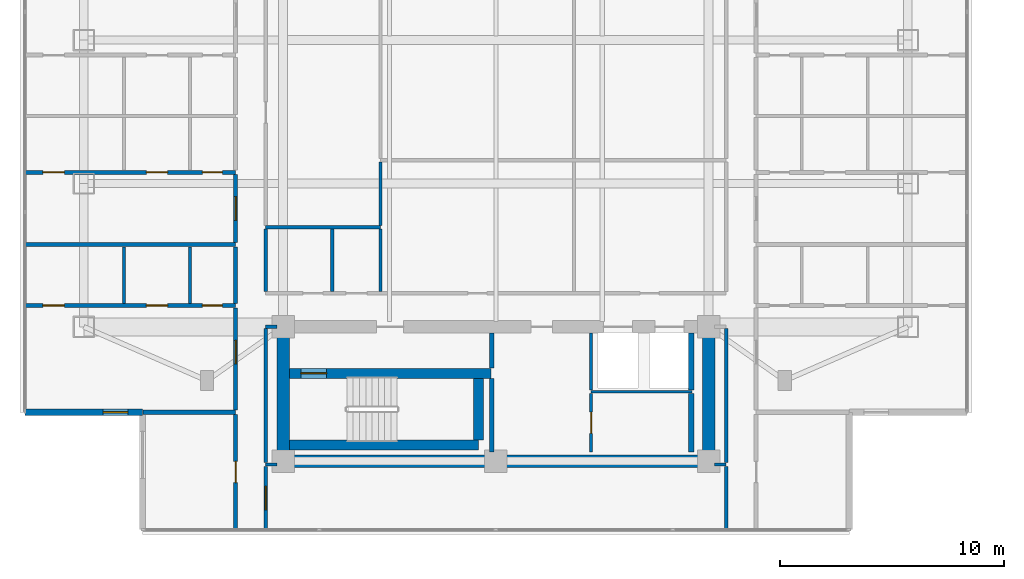
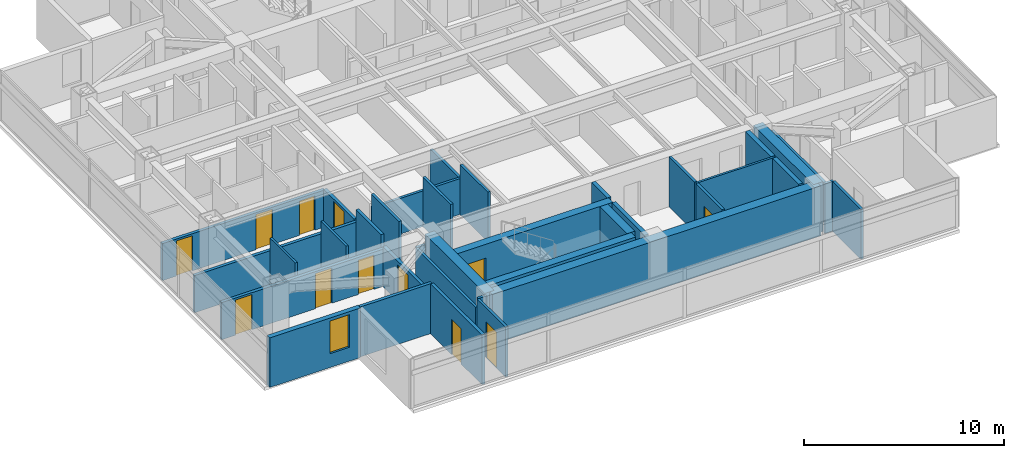
# One storey, part 13 of 26: 36 walls, 12 doors, 1 window, 13 openings.
"""IFC4 building model written with IfcOpenShell, lengths in metres."""

from ifc_helpers import new_model, si_unit, direction, frame, frame_2d, origin, place, context, subcontext, project, spatial, rectangle, extrude, material, layer, layer_set, type_object, element, fill, save


model = new_model("IFC4")

# Units and contexts
model_context = context("Model", 3, precision=1e-05, world=origin(), true_north=direction((0.0, 1.0)))
body_context = subcontext(model_context, "Body", "Model", "MODEL_VIEW")
ifc_project = project(units=[si_unit("LENGTHUNIT", "METRE"), si_unit("AREAUNIT", "SQUARE_METRE"), si_unit("VOLUMEUNIT", "CUBIC_METRE"), si_unit("PLANEANGLEUNIT", "RADIAN"), si_unit("MASSUNIT", "GRAM", prefix="KILO")], contexts=[model_context])

# Site, building, storey
site_placement = place(None, origin())
site = spatial("IfcSite", under=ifc_project, at=site_placement, CompositionType="ELEMENT")
building_placement = place(site_placement, origin())
building = spatial("IfcBuilding", under=site, at=building_placement, Name="Mirazonda Arch Towers", CompositionType="ELEMENT")
storey_placement = place(building_placement, frame((0.0, 0.0, 170.64990234375)))
storey = spatial("IfcBuildingStorey", under=building, at=storey_placement, Name="L48", CompositionType="ELEMENT", Elevation=170.64990234375)

# Wall
ifc_material_1 = material(Name="Concrete C50/60", Category="concrete")
ifc_layer_1 = layer(ifc_material_1, 0.449951171875, Name="WALL-CORE-450")
ifc_layer_set_1 = layer_set([ifc_layer_1], Name="Concrete C50/60")
wall_type_1 = type_object("IfcWallType", Name="WALL-CORE-450", PredefinedType="SHEAR", material=ifc_layer_set_1)
wall_1_placement = place(storey_placement, frame((11.27001953125, 13.1201171875, 0.0), z_axis=(0.0, 0.0, 1.0), x_axis=(1.0, 0.0, 0.0)))
element("IfcWall", 1, at=wall_1_placement, inside=storey, type_object=wall_type_1, Name="L48 Stair Core Shear Wall 003", PredefinedType="SHEAR", context=body_context, shape_type="SweptSolid", body=[
    extrude(rectangle(XDim=8.4599609375, YDim=0.449951171875, at=frame_2d((4.22998046875, 0.0))), origin(), (0.0, 0.0, 1.0), 3.050048828125),
])

# Wall, opening, door
wall_2_placement = place(storey_placement, frame((11.27001953125, 16.320068359375, 0.0), z_axis=(0.0, 0.0, 1.0), x_axis=(1.0, 0.0, 0.0)))
wall_2 = element("IfcWall", 2, at=wall_2_placement, inside=storey, type_object=wall_type_1, Name="L48 Stair Core Shear Wall 007", PredefinedType="SHEAR", context=body_context, shape_type="SweptSolid", body=[
    extrude(rectangle(XDim=9.010009765625, YDim=0.449951171875, at=frame_2d((4.5048828125, 0.0))), origin(), (0.0, 0.0, 1.0), 3.050048828125),
])
opening_1_placement = place(wall_2_placement, frame((0.52001953125, 0.0, 0.0)))
opening_1 = element("IfcOpeningElement", 3, at=opening_1_placement, cuts=wall_2, Name="Opening DR-135", PredefinedType="OPENING", context=body_context, shape_type="SweptSolid", body=[
    extrude(rectangle(XDim=1.14990234375, YDim=2.199951171875, at=frame_2d((0.574951171875, 1.10009765625))), frame((0.0, 0.23486328125, 0.0), z_axis=(0.0, -1.0, 0.0), x_axis=(1.0, 0.0, 0.0)), (0.0, 0.0, 1.0), 0.469970703125),
])
ifc_material_2 = material(Name="Architectural Brushed Steel S355", Category="steel")
door_type_1 = type_object("IfcDoorType", Name="DOOR-STAIR-FD90-1150", OperationType="NOTDEFINED", PredefinedType="DOOR", material=ifc_material_2)
door_1_placement = place(opening_1_placement, origin())
door_1 = element("IfcDoor", 4, at=door_1_placement, inside=storey, type_object=door_type_1, Name="L48 Protected Exit Stair South Door", OperationType="SINGLE_SWING_RIGHT", OverallHeight=2.199951171875, OverallWidth=1.14990234375, PredefinedType="DOOR", context=body_context, shape_type="SweptSolid", body=[
    extrude(rectangle(XDim=1.14990234375, YDim=2.199951171875, at=frame_2d((0.574951171875, 1.10009765625))), frame((0.0, 0.02490234375, 0.0), z_axis=(0.0, -1.0, 0.0), x_axis=(1.0, 0.0, 0.0)), (0.0, 0.0, 1.0), 0.050048828125),
])
fill(opening_1, door_1)

# Walls
wall_3_placement = place(storey_placement, frame((19.72998046875, 13.35498046875, 0.0), z_axis=(0.0, 0.0, 1.0), x_axis=(0.0, 1.0, 0.0)))
element("IfcWall", 5, at=wall_3_placement, inside=storey, type_object=wall_type_1, Name="L48 Stair Core Shear Wall 096", PredefinedType="SHEAR", context=body_context, shape_type="SweptSolid", body=[
    extrude(rectangle(XDim=2.72998046875, YDim=0.449951171875, at=frame_2d((1.364990234375, 0.0))), origin(), (0.0, 0.0, 1.0), 3.050048828125),
])
ifc_layer_2 = layer(ifc_material_1, 0.550048828125, Name="WALL-CORE-550")
ifc_layer_set_2 = layer_set([ifc_layer_2], Name="Concrete C50/60")
wall_type_2 = type_object("IfcWallType", Name="WALL-CORE-550", PredefinedType="SHEAR", material=ifc_layer_set_2)
wall_4_placement = place(storey_placement, frame((11.0, 12.39990234375, 0.0), z_axis=(0.0, 0.0, 1.0), x_axis=(1.0, 0.0, 0.0)))
element("IfcWall", 6, at=wall_4_placement, inside=storey, type_object=wall_type_2, Name="L48 T1S-S Core Shear Wall", PredefinedType="SHEAR", context=body_context, shape_type="SweptSolid", body=[
    extrude(rectangle(XDim=19.0, YDim=0.550048828125, at=frame_2d((9.5, 0.0))), origin(), (0.0, 0.0, 1.0), 3.050048828125),
])
for number, where, z_axis, x_axis, name in (
    (7, (11.0, 12.39990234375, 0.0), (0.0, 0.0, 1.0), (0.0, 1.0, 0.0), "L48 T1S-W Core Shear Wall"),
    (8, (30.0, 12.39990234375, 0.0), (0.0, 0.0, 1.0), (0.0, 1.0, 0.0), "L48 T1S-E Core Shear Wall"),
):
    element("IfcWall", number, at=place(storey_placement, frame(where, z_axis=z_axis, x_axis=x_axis)), inside=storey, type_object=wall_type_2, Name=name, PredefinedType="SHEAR", context=body_context, shape_type="SweptSolid", body=[
        extrude(rectangle(XDim=6.0, YDim=0.550048828125, at=frame_2d((3.0, 0.0))), origin(), (0.0, 0.0, 1.0), 3.050048828125),
    ])

# Wall, opening, window
ifc_material_3 = material(Name="Precast Concrete C40/50", Category="concrete")
ifc_layer_3 = layer(ifc_material_3, 0.280029296875, Name="WALL-EXT-WALL-280")
ifc_layer_set_3 = layer_set([ifc_layer_3], Name="Precast Concrete C40/50")
wall_type_3 = type_object("IfcWallType", Name="WALL-EXT-WALL-280", PredefinedType="SOLIDWALL", material=ifc_layer_set_3)
wall_5_placement = place(storey_placement, frame((-0.530029296875, 14.5849609375, 0.0), z_axis=(0.0, 0.0, 1.0), x_axis=(1.0, 0.0, 0.0)))
wall_5 = element("IfcWall", 9, at=wall_5_placement, inside=storey, type_object=wall_type_3, Name="L48 T1 Corner Notch Return Wall WL-L48-T1-CSW2", PredefinedType="SOLIDWALL", context=body_context, shape_type="SweptSolid", body=[
    extrude(rectangle(XDim=5.2451171875, YDim=0.280029296875, at=frame_2d((2.62255859375, 0.0))), origin(), (0.0, 0.0, 1.0), 3.030029296875),
])
opening_2_placement = place(wall_5_placement, frame((3.4951171875, 0.0, 0.85009765625)))
opening_2 = element("IfcOpeningElement", 10, at=opening_2_placement, cuts=wall_5, Name="Opening WN-108", PredefinedType="OPENING", context=body_context, shape_type="SweptSolid", body=[
    extrude(rectangle(XDim=1.10009765625, YDim=2.0, at=frame_2d((0.550048828125, 1.0))), frame((0.0, 0.14990234375, 0.0), z_axis=(0.0, -1.0, 0.0), x_axis=(1.0, 0.0, 0.0)), (0.0, 0.0, 1.0), 0.300048828125),
])
ifc_material_4 = material(Name="Insulated Low-E Solar Glass", Category="glass")
window_type = type_object("IfcWindowType", Name="WIN-NOTCH-1100x2000", PartitioningType="SINGLE_PANEL", PredefinedType="WINDOW", material=ifc_material_4)
window_placement = place(opening_2_placement, origin())
window = element("IfcWindow", 11, at=window_placement, inside=storey, type_object=window_type, Name="L48 Punched Facade Window WN-L48-T1-CSW2", OverallHeight=2.0, OverallWidth=1.10009765625, PartitioningType="SINGLE_PANEL", PredefinedType="WINDOW", context=body_context, shape_type="SweptSolid", body=[
    extrude(rectangle(XDim=1.10009765625, YDim=2.0, at=frame_2d((0.550048828125, 1.0))), frame((0.0, 0.030029296875, 0.0), z_axis=(0.0, -1.0, 0.0), x_axis=(1.0, 0.0, 0.0)), (0.0, 0.0, 1.0), 0.06005859375),
])
fill(opening_2, window)

# Walls
ifc_material_5 = material(Name="Concrete C40/50", Category="concrete")
ifc_layer_4 = layer(ifc_material_5, 0.219970703125, Name="WALL-FFL-220")
ifc_layer_set_4 = layer_set([ifc_layer_4], Name="Concrete C40/50")
wall_type_4 = type_object("IfcWallType", Name="WALL-FFL-220", PredefinedType="SOLIDWALL", material=ifc_layer_set_4)
wall_6_placement = place(storey_placement, frame((20.31494140625, 12.800048828125, 0.0), z_axis=(0.0, 0.0, 1.0), x_axis=(0.0, 1.0, 0.0)))
element("IfcWall", 12, at=wall_6_placement, inside=storey, type_object=wall_type_4, Name="L48 Interior Partition 098", PredefinedType="SOLIDWALL", context=body_context, shape_type="SweptSolid", body=[
    extrude(rectangle(XDim=3.284912109375, YDim=0.219970703125, at=frame_2d((1.642578125, 0.0))), origin(), (0.0, 0.0, 1.0), 3.050048828125),
])
wall_7_placement = place(storey_placement, frame((20.31494140625, 16.554931640625, 0.0), z_axis=(0.0, 0.0, 1.0), x_axis=(0.0, 1.0, 0.0)))
element("IfcWall", 13, at=wall_7_placement, inside=storey, type_object=wall_type_4, Name="L48 Interior Partition 099", PredefinedType="SOLIDWALL", context=body_context, shape_type="SweptSolid", body=[
    extrude(rectangle(XDim=1.574951171875, YDim=0.219970703125, at=frame_2d((0.78759765625, 0.0))), origin(), (0.0, 0.0, 1.0), 3.050048828125),
])
ifc_material_6 = material(Name="Fire-Rated Gypsum Stud Partition")
ifc_layer_5 = layer(ifc_material_6, 0.14990234375, Name="WALL-PART-CORR-150")
ifc_layer_set_5 = layer_set([ifc_layer_5], Name="Fire-Rated Gypsum Stud Partition")
wall_type_5 = type_object("IfcWallType", Name="WALL-PART-CORR-150", PredefinedType="PARTITIONING", material=ifc_layer_set_5)
for number, where, z_axis, x_axis, name in (
    (14, (10.219970703125, 12.25, 0.0), (0.0, 0.0, 1.0), (1.0, 0.0, 0.0), "L48 Interior Partition 001"),
    (15, (30.27001953125, 12.25, 0.0), (0.0, 0.0, 1.0), (1.0, 0.0, 0.0), "L48 Interior Partition 002"),
):
    element("IfcWall", number, at=place(storey_placement, frame(where, z_axis=z_axis, x_axis=x_axis)), inside=storey, type_object=wall_type_5, Name=name, PredefinedType="PARTITIONING", context=body_context, shape_type="SweptSolid", body=[
        extrude(rectangle(XDim=0.510009765625, YDim=0.14990234375, at=frame_2d((0.2548828125, 0.0))), origin(), (0.0, 0.0, 1.0), 3.050048828125),
    ])
wall_8_placement = place(storey_placement, frame((10.219970703125, 18.39990234375, 0.0), z_axis=(0.0, 0.0, 1.0), x_axis=(1.0, 0.0, 0.0)))
element("IfcWall", 16, at=wall_8_placement, inside=storey, type_object=wall_type_5, Name="L48 Interior Partition 011", PredefinedType="PARTITIONING", context=body_context, shape_type="SweptSolid", body=[
    extrude(rectangle(XDim=0.510009765625, YDim=0.14990234375, at=frame_2d((0.2548828125, 0.0))), origin(), (0.0, 0.0, 1.0), 2.442138671875),
])
wall_9_placement = place(storey_placement, frame((10.219970703125, 22.85009765625, 0.0), z_axis=(0.0, 0.0, 1.0), x_axis=(1.0, 0.0, 0.0)))
element("IfcWall", 17, at=wall_9_placement, inside=storey, type_object=wall_type_5, Name="L48 Interior Partition 025", PredefinedType="PARTITIONING", context=body_context, shape_type="SweptSolid", body=[
    extrude(rectangle(XDim=5.130126953125, YDim=0.14990234375, at=frame_2d((2.56494140625, 0.0))), origin(), (0.0, 0.0, 1.0), 2.18603515625),
])

# Wall, opening, door
wall_10_placement = place(storey_placement, frame((10.219970703125, 9.340087890625, 0.0), z_axis=(0.0, 0.0, 1.0), x_axis=(0.0, 1.0, 0.0)))
wall_10 = element("IfcWall", 18, at=wall_10_placement, inside=storey, type_object=wall_type_5, Name="L48 Interior Partition 082", PredefinedType="PARTITIONING", context=body_context, shape_type="SweptSolid", body=[
    extrude(rectangle(XDim=2.824951171875, YDim=0.14990234375, at=frame_2d((1.41259765625, 0.0))), origin(), (0.0, 0.0, 1.0), 3.050048828125),
])
opening_3_placement = place(wall_10_placement, frame((0.887451171875, 0.0, 0.0)))
opening_3 = element("IfcOpeningElement", 19, at=opening_3_placement, cuts=wall_10, Name="Opening DR-121", PredefinedType="OPENING", context=body_context, shape_type="SweptSolid", body=[
    extrude(rectangle(XDim=1.050048828125, YDim=2.199951171875, at=frame_2d((0.52490234375, 1.10009765625))), frame((0.0, 0.0849609375, 0.0), z_axis=(0.0, -1.0, 0.0), x_axis=(1.0, 0.0, 0.0)), (0.0, 0.0, 1.0), 0.169921875),
])
door_type_2 = type_object("IfcDoorType", Name="DOOR-SUITE-FD60-1050", OperationType="NOTDEFINED", PredefinedType="DOOR", material=ifc_material_2)
door_2_placement = place(opening_3_placement, origin())
door_2 = element("IfcDoor", 20, at=door_2_placement, inside=storey, type_object=door_type_2, Name="L48 South Panoramic Study Gallery Door", OperationType="SINGLE_SWING_RIGHT", OverallHeight=2.199951171875, OverallWidth=1.050048828125, PredefinedType="DOOR", context=body_context, shape_type="SweptSolid", body=[
    extrude(rectangle(XDim=1.050048828125, YDim=2.199951171875, at=frame_2d((0.52490234375, 1.10009765625))), frame((0.0, 0.02490234375, 0.0), z_axis=(0.0, -1.0, 0.0), x_axis=(1.0, 0.0, 0.0)), (0.0, 0.0, 1.0), 0.050048828125),
])
fill(opening_3, door_2)

# Walls
wall_11_placement = place(storey_placement, frame((10.219970703125, 12.3349609375, 0.0), z_axis=(0.0, 0.0, 1.0), x_axis=(0.0, 1.0, 0.0)))
element("IfcWall", 21, at=wall_11_placement, inside=storey, type_object=wall_type_5, Name="L48 Interior Partition 083", PredefinedType="PARTITIONING", context=body_context, shape_type="SweptSolid", body=[
    extrude(rectangle(XDim=5.97998046875, YDim=0.14990234375, at=frame_2d((2.989990234375, 0.0))), origin(), (0.0, 0.0, 1.0), 2.442138671875),
])
for number, where, z_axis, x_axis, name in (
    (22, (10.219970703125, 19.985107421875, 0.0), (0.0, 0.0, 1.0), (0.0, 1.0, 0.0), "L48 Interior Partition 084"),
    (23, (13.199951171875, 19.985107421875, 0.0), (0.0, 0.0, 1.0), (0.0, 1.0, 0.0), "L48 Interior Partition 089"),
    (24, (15.35009765625, 19.985107421875, 0.0), (0.0, 0.0, 1.0), (0.0, 1.0, 0.0), "L48 Interior Partition 090"),
):
    element("IfcWall", number, at=place(storey_placement, frame(where, z_axis=z_axis, x_axis=x_axis)), inside=storey, type_object=wall_type_5, Name=name, PredefinedType="PARTITIONING", context=body_context, shape_type="SweptSolid", body=[
        extrude(rectangle(XDim=2.77978515625, YDim=0.14990234375, at=frame_2d((1.389892578125, 0.0))), origin(), (0.0, 0.0, 1.0), 3.050048828125),
    ])
wall_12_placement = place(storey_placement, frame((15.35009765625, 22.93505859375, 0.0), z_axis=(0.0, 0.0, 1.0), x_axis=(0.0, 1.0, 0.0)))
element("IfcWall", 25, at=wall_12_placement, inside=storey, type_object=wall_type_5, Name="L48 Interior Partition 091", PredefinedType="PARTITIONING", context=body_context, shape_type="SweptSolid", body=[
    extrude(rectangle(XDim=2.81982421875, YDim=0.14990234375, at=frame_2d((1.409912109375, 0.0))), origin(), (0.0, 0.0, 1.0), 2.18603515625),
])

# Wall, opening, door
wall_13_placement = place(storey_placement, frame((24.75, 12.800048828125, 0.0), z_axis=(0.0, 0.0, 1.0), x_axis=(0.0, 1.0, 0.0)))
wall_13 = element("IfcWall", 26, at=wall_13_placement, inside=storey, type_object=wall_type_5, Name="L48 Interior Partition 103", PredefinedType="PARTITIONING", context=body_context, shape_type="SweptSolid", body=[
    extrude(rectangle(XDim=2.62744140625, YDim=0.14990234375, at=frame_2d((1.313720703125, 0.0))), origin(), (0.0, 0.0, 1.0), 3.050048828125),
])
opening_4_placement = place(wall_13_placement, frame((0.838623046875, 0.0, 0.0)))
opening_4 = element("IfcOpeningElement", 27, at=opening_4_placement, cuts=wall_13, Name="Opening DR-104", PredefinedType="OPENING", context=body_context, shape_type="SweptSolid", body=[
    extrude(rectangle(XDim=0.949951171875, YDim=2.14990234375, at=frame_2d((0.47509765625, 1.074951171875))), frame((0.0, 0.0849609375, 0.0), z_axis=(0.0, -1.0, 0.0), x_axis=(1.0, 0.0, 0.0)), (0.0, 0.0, 1.0), 0.169921875),
])
door_type_3 = type_object("IfcDoorType", Name="DOOR-ROOM-950", OperationType="NOTDEFINED", PredefinedType="DOOR", material=ifc_material_2)
door_3_placement = place(opening_4_placement, origin())
door_3 = element("IfcDoor", 28, at=door_3_placement, inside=storey, type_object=door_type_3, Name="L48 Residents Private Archive Study Door", OperationType="SINGLE_SWING_RIGHT", OverallHeight=2.14990234375, OverallWidth=0.949951171875, PredefinedType="DOOR", context=body_context, shape_type="SweptSolid", body=[
    extrude(rectangle(XDim=0.949951171875, YDim=2.14990234375, at=frame_2d((0.47509765625, 1.074951171875))), frame((0.0, 0.02490234375, 0.0), z_axis=(0.0, -1.0, 0.0), x_axis=(1.0, 0.0, 0.0)), (0.0, 0.0, 1.0), 0.050048828125),
])
fill(opening_4, door_3)

# Walls
wall_14_placement = place(storey_placement, frame((24.75, 15.572509765625, 0.0), z_axis=(0.0, 0.0, 1.0), x_axis=(0.0, 1.0, 0.0)))
element("IfcWall", 29, at=wall_14_placement, inside=storey, type_object=wall_type_5, Name="L48 Interior Partition 104", PredefinedType="PARTITIONING", context=body_context, shape_type="SweptSolid", body=[
    extrude(rectangle(XDim=2.557373046875, YDim=0.14990234375, at=frame_2d((1.27880859375, 0.0))), origin(), (0.0, 0.0, 1.0), 3.050048828125),
])
wall_15_placement = place(storey_placement, frame((30.780029296875, 9.340087890625, 0.0), z_axis=(0.0, 0.0, 1.0), x_axis=(0.0, 1.0, 0.0)))
element("IfcWall", 30, at=wall_15_placement, inside=storey, type_object=wall_type_5, Name="L48 Interior Partition 114", PredefinedType="PARTITIONING", context=body_context, shape_type="SweptSolid", body=[
    extrude(rectangle(XDim=2.824951171875, YDim=0.14990234375, at=frame_2d((1.41259765625, 0.0))), origin(), (0.0, 0.0, 1.0), 3.050048828125),
])
wall_16_placement = place(storey_placement, frame((30.780029296875, 12.3349609375, 0.0), z_axis=(0.0, 0.0, 1.0), x_axis=(0.0, 1.0, 0.0)))
element("IfcWall", 31, at=wall_16_placement, inside=storey, type_object=wall_type_5, Name="L48 Interior Partition 115", PredefinedType="PARTITIONING", context=body_context, shape_type="SweptSolid", body=[
    extrude(rectangle(XDim=5.97998046875, YDim=0.14990234375, at=frame_2d((2.989990234375, 0.0))), origin(), (0.0, 0.0, 1.0), 2.442138671875),
])
ifc_material_7 = material(Name="Fire-Rated Gypsum Twin-Stud Assembly")
ifc_layer_6 = layer(ifc_material_7, 0.179931640625, Name="WALL-PART-DEMISE-180")
ifc_layer_set_6 = layer_set([ifc_layer_6], Name="Fire-Rated Gypsum Twin-Stud Assembly")
wall_type_6 = type_object("IfcWallType", Name="WALL-PART-DEMISE-180", PredefinedType="PARTITIONING", material=ifc_layer_set_6)
wall_17_placement = place(storey_placement, frame((4.735107421875, 14.5849609375, 0.0), z_axis=(0.0, 0.0, 1.0), x_axis=(1.0, 0.0, 0.0)))
element("IfcWall", 32, at=wall_17_placement, inside=storey, type_object=wall_type_6, Name="L48 Interior Partition 004", PredefinedType="PARTITIONING", context=body_context, shape_type="SweptSolid", body=[
    extrude(rectangle(XDim=4.144775390625, YDim=0.179931640625, at=frame_2d((2.072265625, 0.0))), origin(), (0.0, 0.0, 1.0), 3.050048828125),
])

# Wall, openings, doors
wall_18_placement = place(storey_placement, frame((-0.530029296875, 19.35009765625, 0.0), z_axis=(0.0, 0.0, 1.0), x_axis=(1.0, 0.0, 0.0)))
wall_18 = element("IfcWall", 33, at=wall_18_placement, inside=storey, type_object=wall_type_6, Name="L48 Interior Partition 014", PredefinedType="PARTITIONING", context=body_context, shape_type="SweptSolid", body=[
    extrude(rectangle(XDim=9.409912109375, YDim=0.179931640625, at=frame_2d((4.705078125, 0.0))), origin(), (0.0, 0.0, 1.0), 2.26904296875),
])
opening_5_placement = place(wall_18_placement, frame((0.805908203125, 0.0, 0.0)))
opening_5 = element("IfcOpeningElement", 34, at=opening_5_placement, cuts=wall_18, Name="Opening DR-104", PredefinedType="OPENING", context=body_context, shape_type="SweptSolid", body=[
    extrude(rectangle(XDim=0.949951171875, YDim=2.14990234375, at=frame_2d((0.47509765625, 1.074951171875))), frame((0.0, 0.099853515625, 0.0), z_axis=(0.0, -1.0, 0.0), x_axis=(1.0, 0.0, 0.0)), (0.0, 0.0, 1.0), 0.199951171875),
])
opening_6_placement = place(wall_18_placement, frame((5.4208984375, 0.0, 0.0)))
opening_6 = element("IfcOpeningElement", 35, at=opening_6_placement, cuts=wall_18, Name="Opening DR-104", PredefinedType="OPENING", context=body_context, shape_type="SweptSolid", body=[
    extrude(rectangle(XDim=0.949951171875, YDim=2.14990234375, at=frame_2d((0.47509765625, 1.074951171875))), frame((0.0, 0.099853515625, 0.0), z_axis=(0.0, -1.0, 0.0), x_axis=(1.0, 0.0, 0.0)), (0.0, 0.0, 1.0), 0.199951171875),
])
opening_7_placement = place(wall_18_placement, frame((7.919921875, 0.0, 0.0)))
opening_7 = element("IfcOpeningElement", 36, at=opening_7_placement, cuts=wall_18, Name="Opening DR-120", PredefinedType="OPENING", context=body_context, shape_type="SweptSolid", body=[
    extrude(rectangle(XDim=0.89990234375, YDim=2.10009765625, at=frame_2d((0.449951171875, 1.050048828125))), frame((0.0, 0.099853515625, 0.0), z_axis=(0.0, -1.0, 0.0), x_axis=(1.0, 0.0, 0.0)), (0.0, 0.0, 1.0), 0.199951171875),
])
door_4_placement = place(opening_5_placement, origin())
door_4 = element("IfcDoor", 37, at=door_4_placement, inside=storey, type_object=door_type_3, Name="L48 Residence 1 Principal Bedroom Door", OperationType="SINGLE_SWING_LEFT", OverallHeight=2.14990234375, OverallWidth=0.949951171875, PredefinedType="DOOR", context=body_context, shape_type="SweptSolid", body=[
    extrude(rectangle(XDim=0.949951171875, YDim=2.14990234375, at=frame_2d((0.47509765625, 1.074951171875))), frame((0.0, 0.02490234375, 0.0), z_axis=(0.0, -1.0, 0.0), x_axis=(1.0, 0.0, 0.0)), (0.0, 0.0, 1.0), 0.050048828125),
])
fill(opening_5, door_4)
door_5_placement = place(opening_6_placement, origin())
door_5 = element("IfcDoor", 38, at=door_5_placement, inside=storey, type_object=door_type_3, Name="L48 Residence 1 Fitted Kitchen Door", OperationType="SINGLE_SWING_RIGHT", OverallHeight=2.14990234375, OverallWidth=0.949951171875, PredefinedType="DOOR", context=body_context, shape_type="SweptSolid", body=[
    extrude(rectangle(XDim=0.949951171875, YDim=2.14990234375, at=frame_2d((0.47509765625, 1.074951171875))), frame((0.0, 0.02490234375, 0.0), z_axis=(0.0, -1.0, 0.0), x_axis=(1.0, 0.0, 0.0)), (0.0, 0.0, 1.0), 0.050048828125),
])
fill(opening_6, door_5)
door_type_4 = type_object("IfcDoorType", Name="DOOR-WC-900", OperationType="NOTDEFINED", PredefinedType="DOOR", material=ifc_material_2)
door_6_placement = place(opening_7_placement, origin())
door_6 = element("IfcDoor", 39, at=door_6_placement, inside=storey, type_object=door_type_4, Name="L48 Residence 1 Bathroom Door", OperationType="SINGLE_SWING_LEFT", OverallHeight=2.10009765625, OverallWidth=0.89990234375, PredefinedType="DOOR", context=body_context, shape_type="SweptSolid", body=[
    extrude(rectangle(XDim=0.89990234375, YDim=2.10009765625, at=frame_2d((0.449951171875, 1.050048828125))), frame((0.0, 0.02490234375, 0.0), z_axis=(0.0, -1.0, 0.0), x_axis=(1.0, 0.0, 0.0)), (0.0, 0.0, 1.0), 0.050048828125),
])
fill(opening_7, door_6)

# Wall
wall_19_placement = place(storey_placement, frame((-0.530029296875, 22.070068359375, 0.0), z_axis=(0.0, 0.0, 1.0), x_axis=(1.0, 0.0, 0.0)))
element("IfcWall", 40, at=wall_19_placement, inside=storey, type_object=wall_type_6, Name="L48 Interior Partition 021", PredefinedType="PARTITIONING", context=body_context, shape_type="SweptSolid", body=[
    extrude(rectangle(XDim=9.409912109375, YDim=0.179931640625, at=frame_2d((4.705078125, 0.0))), origin(), (0.0, 0.0, 1.0), 2.26904296875),
])

# Wall, openings, doors
wall_20_placement = place(storey_placement, frame((-0.530029296875, 25.297119140625, 0.0), z_axis=(0.0, 0.0, 1.0), x_axis=(1.0, 0.0, 0.0)))
wall_20 = element("IfcWall", 41, at=wall_20_placement, inside=storey, type_object=wall_type_6, Name="L48 Interior Partition 029", PredefinedType="PARTITIONING", context=body_context, shape_type="SweptSolid", body=[
    extrude(rectangle(XDim=9.409912109375, YDim=0.179931640625, at=frame_2d((4.705078125, 0.0))), origin(), (0.0, 0.0, 1.0), 2.26904296875),
])
opening_8_placement = place(wall_20_placement, frame((0.805908203125, 0.0, 0.0)))
opening_8 = element("IfcOpeningElement", 42, at=opening_8_placement, cuts=wall_20, Name="Opening DR-104", PredefinedType="OPENING", context=body_context, shape_type="SweptSolid", body=[
    extrude(rectangle(XDim=0.949951171875, YDim=2.14990234375, at=frame_2d((0.47509765625, 1.074951171875))), frame((0.0, 0.099853515625, 0.0), z_axis=(0.0, -1.0, 0.0), x_axis=(1.0, 0.0, 0.0)), (0.0, 0.0, 1.0), 0.199951171875),
])
opening_9_placement = place(wall_20_placement, frame((5.4208984375, 0.0, 0.0)))
opening_9 = element("IfcOpeningElement", 43, at=opening_9_placement, cuts=wall_20, Name="Opening DR-104", PredefinedType="OPENING", context=body_context, shape_type="SweptSolid", body=[
    extrude(rectangle(XDim=0.949951171875, YDim=2.14990234375, at=frame_2d((0.47509765625, 1.074951171875))), frame((0.0, 0.099853515625, 0.0), z_axis=(0.0, -1.0, 0.0), x_axis=(1.0, 0.0, 0.0)), (0.0, 0.0, 1.0), 0.199951171875),
])
opening_10_placement = place(wall_20_placement, frame((7.919921875, 0.0, 0.0)))
opening_10 = element("IfcOpeningElement", 44, at=opening_10_placement, cuts=wall_20, Name="Opening DR-120", PredefinedType="OPENING", context=body_context, shape_type="SweptSolid", body=[
    extrude(rectangle(XDim=0.89990234375, YDim=2.10009765625, at=frame_2d((0.449951171875, 1.050048828125))), frame((0.0, 0.099853515625, 0.0), z_axis=(0.0, -1.0, 0.0), x_axis=(1.0, 0.0, 0.0)), (0.0, 0.0, 1.0), 0.199951171875),
])
door_7_placement = place(opening_8_placement, origin())
door_7 = element("IfcDoor", 45, at=door_7_placement, inside=storey, type_object=door_type_3, Name="L48 Residence 2 Principal Bedroom Door", OperationType="SINGLE_SWING_LEFT", OverallHeight=2.14990234375, OverallWidth=0.949951171875, PredefinedType="DOOR", context=body_context, shape_type="SweptSolid", body=[
    extrude(rectangle(XDim=0.949951171875, YDim=2.14990234375, at=frame_2d((0.47509765625, 1.074951171875))), frame((0.0, 0.02490234375, 0.0), z_axis=(0.0, -1.0, 0.0), x_axis=(1.0, 0.0, 0.0)), (0.0, 0.0, 1.0), 0.050048828125),
])
fill(opening_8, door_7)
door_8_placement = place(opening_9_placement, origin())
door_8 = element("IfcDoor", 46, at=door_8_placement, inside=storey, type_object=door_type_3, Name="L48 Residence 2 Fitted Kitchen Door", OperationType="SINGLE_SWING_RIGHT", OverallHeight=2.14990234375, OverallWidth=0.949951171875, PredefinedType="DOOR", context=body_context, shape_type="SweptSolid", body=[
    extrude(rectangle(XDim=0.949951171875, YDim=2.14990234375, at=frame_2d((0.47509765625, 1.074951171875))), frame((0.0, 0.02490234375, 0.0), z_axis=(0.0, -1.0, 0.0), x_axis=(1.0, 0.0, 0.0)), (0.0, 0.0, 1.0), 0.050048828125),
])
fill(opening_9, door_8)
door_9_placement = place(opening_10_placement, origin())
door_9 = element("IfcDoor", 47, at=door_9_placement, inside=storey, type_object=door_type_4, Name="L48 Residence 2 Bathroom Door", OperationType="SINGLE_SWING_LEFT", OverallHeight=2.10009765625, OverallWidth=0.89990234375, PredefinedType="DOOR", context=body_context, shape_type="SweptSolid", body=[
    extrude(rectangle(XDim=0.89990234375, YDim=2.10009765625, at=frame_2d((0.449951171875, 1.050048828125))), frame((0.0, 0.02490234375, 0.0), z_axis=(0.0, -1.0, 0.0), x_axis=(1.0, 0.0, 0.0)), (0.0, 0.0, 1.0), 0.050048828125),
])
fill(opening_10, door_9)

# Wall, opening, door
wall_21_placement = place(storey_placement, frame((8.8798828125, 9.340087890625, 0.0), z_axis=(0.0, 0.0, 1.0), x_axis=(0.0, 1.0, 0.0)))
wall_21 = element("IfcWall", 48, at=wall_21_placement, inside=storey, type_object=wall_type_6, Name="L48 Interior Partition 072", PredefinedType="PARTITIONING", context=body_context, shape_type="SweptSolid", body=[
    extrude(rectangle(XDim=5.14501953125, YDim=0.179931640625, at=frame_2d((2.572509765625, 0.0))), origin(), (0.0, 0.0, 1.0), 3.050048828125),
])
opening_11_placement = place(wall_21_placement, frame((2.097412109375, 0.0, 0.0)))
opening_11 = element("IfcOpeningElement", 49, at=opening_11_placement, cuts=wall_21, Name="Opening DR-104", PredefinedType="OPENING", context=body_context, shape_type="SweptSolid", body=[
    extrude(rectangle(XDim=0.949951171875, YDim=2.14990234375, at=frame_2d((0.47509765625, 1.074951171875))), frame((0.0, 0.099853515625, 0.0), z_axis=(0.0, -1.0, 0.0), x_axis=(1.0, 0.0, 0.0)), (0.0, 0.0, 1.0), 0.199951171875),
])
door_10_placement = place(opening_11_placement, origin())
door_10 = element("IfcDoor", 50, at=door_10_placement, inside=storey, type_object=door_type_3, Name="L48 South Panoramic Study Alcove West Door", OperationType="SINGLE_SWING_LEFT", OverallHeight=2.14990234375, OverallWidth=0.949951171875, PredefinedType="DOOR", context=body_context, shape_type="SweptSolid", body=[
    extrude(rectangle(XDim=0.949951171875, YDim=2.14990234375, at=frame_2d((0.47509765625, 1.074951171875))), frame((0.0, 0.02490234375, 0.0), z_axis=(0.0, -1.0, 0.0), x_axis=(1.0, 0.0, 0.0)), (0.0, 0.0, 1.0), 0.050048828125),
])
fill(opening_11, door_10)

wall_22_placement = place(storey_placement, frame((8.8798828125, 14.68505859375, 0.0), z_axis=(0.0, 0.0, 1.0), x_axis=(0.0, 1.0, 0.0)))
wall_22 = element("IfcWall", 51, at=wall_22_placement, inside=storey, type_object=wall_type_6, Name="L48 Interior Partition 073", PredefinedType="PARTITIONING", context=body_context, shape_type="SweptSolid", body=[
    extrude(rectangle(XDim=4.56494140625, YDim=0.179931640625, at=frame_2d((2.282470703125, 0.0))), origin(), (0.0, 0.0, 1.0), 2.442138671875),
])
opening_12_placement = place(wall_22_placement, frame((2.0576171875, 0.0, 0.0)))
opening_12 = element("IfcOpeningElement", 52, at=opening_12_placement, cuts=wall_22, Name="Opening DR-121", PredefinedType="OPENING", context=body_context, shape_type="SweptSolid", body=[
    extrude(rectangle(XDim=1.050048828125, YDim=2.199951171875, at=frame_2d((0.52490234375, 1.10009765625))), frame((0.0, 0.099853515625, 0.0), z_axis=(0.0, -1.0, 0.0), x_axis=(1.0, 0.0, 0.0)), (0.0, 0.0, 1.0), 0.199951171875),
])
door_11_placement = place(opening_12_placement, origin())
door_11 = element("IfcDoor", 53, at=door_11_placement, inside=storey, type_object=door_type_2, Name="L48 Residence 1 Living & Dining Salon Door", OperationType="SINGLE_SWING_RIGHT", OverallHeight=2.199951171875, OverallWidth=1.050048828125, PredefinedType="DOOR", context=body_context, shape_type="SweptSolid", body=[
    extrude(rectangle(XDim=1.050048828125, YDim=2.199951171875, at=frame_2d((0.52490234375, 1.10009765625))), frame((0.0, 0.02490234375, 0.0), z_axis=(0.0, -1.0, 0.0), x_axis=(1.0, 0.0, 0.0)), (0.0, 0.0, 1.0), 0.050048828125),
])
fill(opening_12, door_11)

# Wall
wall_23_placement = place(storey_placement, frame((8.8798828125, 19.449951171875, 0.0), z_axis=(0.0, 0.0, 1.0), x_axis=(0.0, 1.0, 0.0)))
element("IfcWall", 54, at=wall_23_placement, inside=storey, type_object=wall_type_6, Name="L48 Interior Partition 074", PredefinedType="PARTITIONING", context=body_context, shape_type="SweptSolid", body=[
    extrude(rectangle(XDim=2.52001953125, YDim=0.179931640625, at=frame_2d((1.260009765625, 0.0))), origin(), (0.0, 0.0, 1.0), 3.050048828125),
])

# Wall, opening, door
wall_24_placement = place(storey_placement, frame((8.8798828125, 22.169921875, 0.0), z_axis=(0.0, 0.0, 1.0), x_axis=(0.0, 1.0, 0.0)))
wall_24 = element("IfcWall", 55, at=wall_24_placement, inside=storey, type_object=wall_type_6, Name="L48 Interior Partition 075", PredefinedType="PARTITIONING", context=body_context, shape_type="SweptSolid", body=[
    extrude(rectangle(XDim=3.027099609375, YDim=0.179931640625, at=frame_2d((1.513671875, 0.0))), origin(), (0.0, 0.0, 1.0), 2.34619140625),
])
opening_13_placement = place(wall_24_placement, frame((0.988525390625, 0.0, 0.0)))
opening_13 = element("IfcOpeningElement", 56, at=opening_13_placement, cuts=wall_24, Name="Opening DR-121", PredefinedType="OPENING", context=body_context, shape_type="SweptSolid", body=[
    extrude(rectangle(XDim=1.050048828125, YDim=2.199951171875, at=frame_2d((0.52490234375, 1.10009765625))), frame((0.0, 0.099853515625, 0.0), z_axis=(0.0, -1.0, 0.0), x_axis=(1.0, 0.0, 0.0)), (0.0, 0.0, 1.0), 0.199951171875),
])
door_12_placement = place(opening_13_placement, origin())
door_12 = element("IfcDoor", 57, at=door_12_placement, inside=storey, type_object=door_type_2, Name="L48 Residence 2 Living & Dining Salon Door", OperationType="SINGLE_SWING_RIGHT", OverallHeight=2.199951171875, OverallWidth=1.050048828125, PredefinedType="DOOR", context=body_context, shape_type="SweptSolid", body=[
    extrude(rectangle(XDim=1.050048828125, YDim=2.199951171875, at=frame_2d((0.52490234375, 1.10009765625))), frame((0.0, 0.02490234375, 0.0), z_axis=(0.0, -1.0, 0.0), x_axis=(1.0, 0.0, 0.0)), (0.0, 0.0, 1.0), 0.050048828125),
])
fill(opening_13, door_12)

# Walls
ifc_material_8 = material(Name="Acoustic Fire-Rated Gypsum Partition")
ifc_layer_7 = layer(ifc_material_8, 0.125, Name="WALL-PART-UNIT-125")
ifc_layer_set_7 = layer_set([ifc_layer_7], Name="Acoustic Fire-Rated Gypsum Partition")
wall_type_7 = type_object("IfcWallType", Name="WALL-PART-UNIT-125", PredefinedType="PARTITIONING", material=ifc_layer_set_7)
wall_25_placement = place(storey_placement, frame((24.75, 15.5, 0.0), z_axis=(0.0, 0.0, 1.0), x_axis=(1.0, 0.0, 0.0)))
element("IfcWall", 58, at=wall_25_placement, inside=storey, type_object=wall_type_7, Name="L48 Interior Partition 006", PredefinedType="PARTITIONING", context=body_context, shape_type="SweptSolid", body=[
    extrude(rectangle(XDim=4.5, YDim=0.125, at=frame_2d((2.25, 0.0))), origin(), (0.0, 0.0, 1.0), 3.050048828125),
])
for number, where, z_axis, x_axis, name in (
    (59, (3.89208984375, 19.449951171875, 0.0), (0.0, 0.0, 1.0), (0.0, 1.0, 0.0), "L48 Interior Partition 064"),
    (60, (6.840087890625, 19.449951171875, 0.0), (0.0, 0.0, 1.0), (0.0, 1.0, 0.0), "L48 Interior Partition 068"),
):
    element("IfcWall", number, at=place(storey_placement, frame(where, z_axis=z_axis, x_axis=x_axis)), inside=storey, type_object=wall_type_7, Name=name, PredefinedType="PARTITIONING", context=body_context, shape_type="SweptSolid", body=[
        extrude(rectangle(XDim=2.52001953125, YDim=0.125, at=frame_2d((1.260009765625, 0.0))), origin(), (0.0, 0.0, 1.0), 3.050048828125),
    ])
ifc_layer_8 = layer(ifc_material_5, 0.25, Name="WALL-SHAFT-250")
ifc_layer_set_8 = layer_set([ifc_layer_8], Name="Concrete C40/50")
wall_type_8 = type_object("IfcWallType", Name="WALL-SHAFT-250", PredefinedType="SOLIDWALL", material=ifc_layer_set_8)
wall_26_placement = place(storey_placement, frame((29.22509765625, 12.800048828125, 0.0), z_axis=(0.0, 0.0, 1.0), x_axis=(0.0, 1.0, 0.0)))
element("IfcWall", 61, at=wall_26_placement, inside=storey, type_object=wall_type_8, Name="L48 Interior Partition 110", PredefinedType="SOLIDWALL", context=body_context, shape_type="SweptSolid", body=[
    extrude(rectangle(XDim=2.62744140625, YDim=0.25, at=frame_2d((1.313720703125, 0.0))), origin(), (0.0, 0.0, 1.0), 3.050048828125),
])
wall_27_placement = place(storey_placement, frame((29.22509765625, 15.572509765625, 0.0), z_axis=(0.0, 0.0, 1.0), x_axis=(0.0, 1.0, 0.0)))
element("IfcWall", 62, at=wall_27_placement, inside=storey, type_object=wall_type_8, Name="L48 Interior Partition 111", PredefinedType="SOLIDWALL", context=body_context, shape_type="SweptSolid", body=[
    extrude(rectangle(XDim=2.557373046875, YDim=0.25, at=frame_2d((1.27880859375, 0.0))), origin(), (0.0, 0.0, 1.0), 3.050048828125),
])

save(model, "model.ifc")
